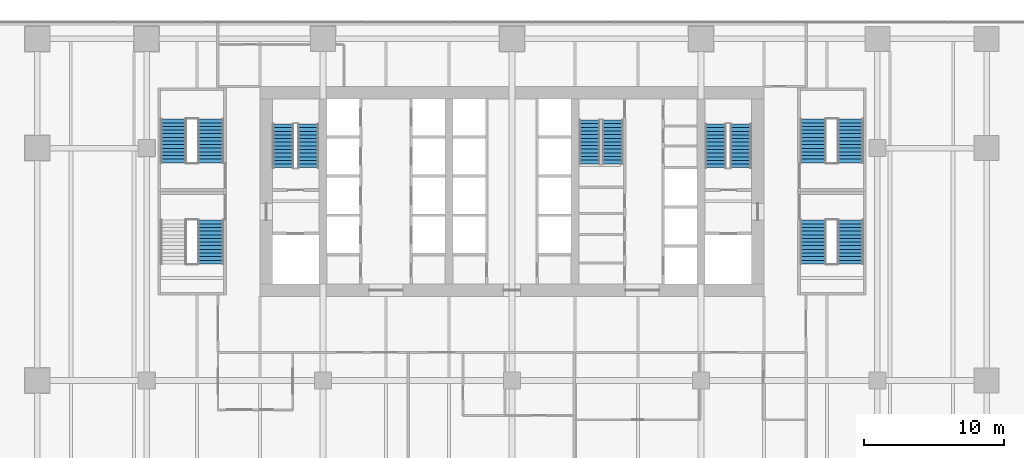
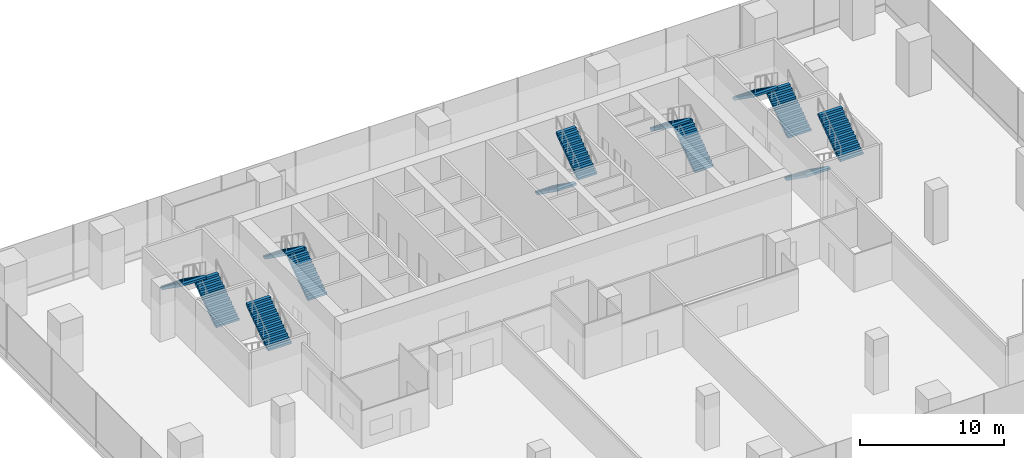
# One storey, part 22 of 28: 13 stair flights, 7 elements without a shape of their own.
"""IFC4 building model written with IfcOpenShell, lengths in metres."""

from ifc_helpers import new_model, si_unit, direction, frame, origin, place, context, subcontext, project, spatial, polyline, outline, extrude, material, type_object, element, aggregate, save


model = new_model("IFC4")

# Units and contexts
model_context = context("Model", 3, precision=1e-05, world=origin(), true_north=direction((0.0, 1.0)))
body_context = subcontext(model_context, "Body", "Model", "MODEL_VIEW")
ifc_project = project(units=[si_unit("LENGTHUNIT", "METRE"), si_unit("AREAUNIT", "SQUARE_METRE"), si_unit("VOLUMEUNIT", "CUBIC_METRE"), si_unit("PLANEANGLEUNIT", "RADIAN"), si_unit("MASSUNIT", "GRAM", prefix="KILO")], contexts=[model_context])

# Site, building, storey
site_placement = place(None, origin())
site = spatial("IfcSite", under=ifc_project, at=site_placement, CompositionType="ELEMENT")
building_placement = place(site_placement, origin())
building = spatial("IfcBuilding", under=site, at=building_placement, Name="Rattan Terrace Tower", CompositionType="ELEMENT")
storey_placement = place(building_placement, frame((0.0, 0.0, 22.199951171875)))
storey = spatial("IfcBuildingStorey", under=building, at=storey_placement, Name="L04", CompositionType="ELEMENT", Elevation=22.199951171875)

# Stair, stair flights
ifc_material_1 = material(Name="Concrete C40/50", Category="concrete")
stair_type_1 = type_object("IfcStairType", Name="Core exit stair 1500", PredefinedType="HALF_TURN_STAIR", material=ifc_material_1)
stair_1_placement = place(storey_placement, origin())
stair_1 = element("IfcStair", 1, at=stair_1_placement, inside=storey, type_object=stair_type_1, Name="L04 exit stair 1", PredefinedType="HALF_TURN_STAIR")
ifc_material_2 = material(Name="Concrete C40/50", Category="concrete")
stair_flight_type_1 = type_object("IfcStairFlightType", Name="Core exit stair flight 1500", PredefinedType="STRAIGHT", material=ifc_material_2)
stair_flight_1_placement = place(storey_placement, frame((-14.550048828125, 1.699951171875, 0.0), z_axis=(0.0, 0.0, 1.0), x_axis=(0.0, 1.0, 0.0)))
stair_flight_1 = element("IfcStairFlight", 2, at=stair_flight_1_placement, type_object=stair_flight_type_1, Name="S1 flight 1", NumberOfRisers=13, NumberOfTreads=12, PredefinedType="STRAIGHT", RiserHeight=0.184615385, TreadLength=0.26, context=body_context, shape_type="SweptSolid", body=[
    extrude(outline(polyline([(0.0, 0.0), (0.0, 0.1845703125), (0.260009765625, 0.1845703125), (0.260009765625, 0.369140625), (0.52001953125, 0.369140625), (0.52001953125, 0.553955078125), (0.780029296875, 0.553955078125), (0.780029296875, 0.738525390625), (1.0400390625, 0.738525390625), (1.0400390625, 0.923095703125), (1.300048828125, 0.923095703125), (1.300048828125, 1.107666015625), (1.56005859375, 1.107666015625), (1.56005859375, 1.292236328125), (1.820068359375, 1.292236328125), (1.820068359375, 1.476806640625), (2.080078125, 1.476806640625), (2.080078125, 1.66162109375), (2.340087890625, 1.66162109375), (2.340087890625, 1.84619140625), (2.60009765625, 1.84619140625), (2.60009765625, 2.03076171875), (2.860107421875, 2.03076171875), (2.860107421875, 2.21533203125), (3.1201171875, 2.21533203125), (3.1201171875, 2.39990234375), (3.1201171875, 2.031494140625), (0.259033203125, 0.0), (0.0, 0.0)])), frame((0.0, 0.75, 0.0), z_axis=(0.0, -1.0, 0.0), x_axis=(1.0, 0.0, 0.0)), (0.0, 0.0, 1.0), 1.5),
])
stair_flight_2_placement = place(storey_placement, frame((-16.35009765625, 4.820068359375, 2.400146484375), z_axis=(0.0, 0.0, 1.0), x_axis=(0.0, -1.0, 0.0)))
stair_flight_2 = element("IfcStairFlight", 3, at=stair_flight_2_placement, type_object=stair_flight_type_1, Name="S1 flight 2", NumberOfRisers=13, NumberOfTreads=12, PredefinedType="STRAIGHT", RiserHeight=0.184615385, TreadLength=0.26, context=body_context, shape_type="SweptSolid", body=[
    extrude(outline(polyline([(0.0, 0.0), (0.0, 0.1845703125), (0.260009765625, 0.1845703125), (0.260009765625, 0.369140625), (0.52001953125, 0.369140625), (0.52001953125, 0.553955078125), (0.780029296875, 0.553955078125), (0.780029296875, 0.738525390625), (1.0400390625, 0.738525390625), (1.0400390625, 0.923095703125), (1.300048828125, 0.923095703125), (1.300048828125, 1.107666015625), (1.56005859375, 1.107666015625), (1.56005859375, 1.292236328125), (1.820068359375, 1.292236328125), (1.820068359375, 1.476806640625), (2.080078125, 1.476806640625), (2.080078125, 1.66162109375), (2.340087890625, 1.66162109375), (2.340087890625, 1.84619140625), (2.60009765625, 1.84619140625), (2.60009765625, 2.03076171875), (2.860107421875, 2.03076171875), (2.860107421875, 2.21533203125), (3.1201171875, 2.21533203125), (3.1201171875, 2.39990234375), (3.1201171875, 2.031494140625), (0.259033203125, 0.0), (0.0, 0.0)])), frame((0.0, 0.75, 0.0), z_axis=(0.0, -1.0, 0.0), x_axis=(1.0, 0.0, 0.0)), (0.0, 0.0, 1.0), 1.5),
])
aggregate(stair_1, [stair_flight_1, stair_flight_2])

stair_2_placement = place(storey_placement, origin())
stair_2 = element("IfcStair", 4, at=stair_2_placement, inside=storey, type_object=stair_type_1, Name="L04 exit stair 2", PredefinedType="HALF_TURN_STAIR")
stair_flight_3_placement = place(storey_placement, frame((16.35009765625, 1.699951171875, 0.0), z_axis=(0.0, 0.0, 1.0), x_axis=(0.0, 1.0, 0.0)))
stair_flight_3 = element("IfcStairFlight", 5, at=stair_flight_3_placement, type_object=stair_flight_type_1, Name="S2 flight 1", NumberOfRisers=13, NumberOfTreads=12, PredefinedType="STRAIGHT", RiserHeight=0.184615385, TreadLength=0.26, context=body_context, shape_type="SweptSolid", body=[
    extrude(outline(polyline([(0.0, 0.0), (0.0, 0.1845703125), (0.260009765625, 0.1845703125), (0.260009765625, 0.369140625), (0.52001953125, 0.369140625), (0.52001953125, 0.553955078125), (0.780029296875, 0.553955078125), (0.780029296875, 0.738525390625), (1.0400390625, 0.738525390625), (1.0400390625, 0.923095703125), (1.300048828125, 0.923095703125), (1.300048828125, 1.107666015625), (1.56005859375, 1.107666015625), (1.56005859375, 1.292236328125), (1.820068359375, 1.292236328125), (1.820068359375, 1.476806640625), (2.080078125, 1.476806640625), (2.080078125, 1.66162109375), (2.340087890625, 1.66162109375), (2.340087890625, 1.84619140625), (2.60009765625, 1.84619140625), (2.60009765625, 2.03076171875), (2.860107421875, 2.03076171875), (2.860107421875, 2.21533203125), (3.1201171875, 2.21533203125), (3.1201171875, 2.39990234375), (3.1201171875, 2.031494140625), (0.259033203125, 0.0), (0.0, 0.0)])), frame((0.0, 0.75, 0.0), z_axis=(0.0, -1.0, 0.0), x_axis=(1.0, 0.0, 0.0)), (0.0, 0.0, 1.0), 1.5),
])
stair_flight_4_placement = place(storey_placement, frame((14.550048828125, 4.820068359375, 2.400146484375), z_axis=(0.0, 0.0, 1.0), x_axis=(0.0, -1.0, 0.0)))
stair_flight_4 = element("IfcStairFlight", 6, at=stair_flight_4_placement, type_object=stair_flight_type_1, Name="S2 flight 2", NumberOfRisers=13, NumberOfTreads=12, PredefinedType="STRAIGHT", RiserHeight=0.184615385, TreadLength=0.26, context=body_context, shape_type="SweptSolid", body=[
    extrude(outline(polyline([(0.0, 0.0), (0.0, 0.1845703125), (0.260009765625, 0.1845703125), (0.260009765625, 0.369140625), (0.52001953125, 0.369140625), (0.52001953125, 0.553955078125), (0.780029296875, 0.553955078125), (0.780029296875, 0.738525390625), (1.0400390625, 0.738525390625), (1.0400390625, 0.923095703125), (1.300048828125, 0.923095703125), (1.300048828125, 1.107666015625), (1.56005859375, 1.107666015625), (1.56005859375, 1.292236328125), (1.820068359375, 1.292236328125), (1.820068359375, 1.476806640625), (2.080078125, 1.476806640625), (2.080078125, 1.66162109375), (2.340087890625, 1.66162109375), (2.340087890625, 1.84619140625), (2.60009765625, 1.84619140625), (2.60009765625, 2.03076171875), (2.860107421875, 2.03076171875), (2.860107421875, 2.21533203125), (3.1201171875, 2.21533203125), (3.1201171875, 2.39990234375), (3.1201171875, 2.031494140625), (0.259033203125, 0.0), (0.0, 0.0)])), frame((0.0, 0.75, 0.0), z_axis=(0.0, -1.0, 0.0), x_axis=(1.0, 0.0, 0.0)), (0.0, 0.0, 1.0), 1.5),
])
aggregate(stair_2, [stair_flight_3, stair_flight_4])

stair_3_placement = place(storey_placement, origin())
stair_3 = element("IfcStair", 7, at=stair_3_placement, inside=storey, type_object=stair_type_1, Name="L04 exit stair 3", PredefinedType="HALF_TURN_STAIR")
stair_flight_5_placement = place(storey_placement, frame((5.550048828125, 5.10009765625, 0.0), z_axis=(0.0, 0.0, 1.0), x_axis=(0.0, -1.0, 0.0)))
stair_flight_5 = element("IfcStairFlight", 8, at=stair_flight_5_placement, type_object=stair_flight_type_1, Name="S3 flight 1", NumberOfRisers=13, NumberOfTreads=12, PredefinedType="STRAIGHT", RiserHeight=0.184615385, TreadLength=0.26, context=body_context, shape_type="SweptSolid", body=[
    extrude(outline(polyline([(0.0, 0.0), (0.0, 0.1845703125), (0.260009765625, 0.1845703125), (0.260009765625, 0.369140625), (0.52001953125, 0.369140625), (0.52001953125, 0.553955078125), (0.780029296875, 0.553955078125), (0.780029296875, 0.738525390625), (1.0400390625, 0.738525390625), (1.0400390625, 0.923095703125), (1.300048828125, 0.923095703125), (1.300048828125, 1.107666015625), (1.56005859375, 1.107666015625), (1.56005859375, 1.292236328125), (1.820068359375, 1.292236328125), (1.820068359375, 1.476806640625), (2.080078125, 1.476806640625), (2.080078125, 1.66162109375), (2.340087890625, 1.66162109375), (2.340087890625, 1.84619140625), (2.60009765625, 1.84619140625), (2.60009765625, 2.03076171875), (2.860107421875, 2.03076171875), (2.860107421875, 2.21533203125), (3.1201171875, 2.21533203125), (3.1201171875, 2.39990234375), (3.1201171875, 2.031494140625), (0.259033203125, 0.0), (0.0, 0.0)])), frame((0.0, 0.75, 0.0), z_axis=(0.0, -1.0, 0.0), x_axis=(1.0, 0.0, 0.0)), (0.0, 0.0, 1.0), 1.5),
])
stair_flight_6_placement = place(storey_placement, frame((7.199951171875, 1.97998046875, 2.400146484375), z_axis=(0.0, 0.0, 1.0), x_axis=(0.0, 1.0, 0.0)))
stair_flight_6 = element("IfcStairFlight", 9, at=stair_flight_6_placement, type_object=stair_flight_type_1, Name="S3 flight 2", NumberOfRisers=13, NumberOfTreads=12, PredefinedType="STRAIGHT", RiserHeight=0.184615385, TreadLength=0.26, context=body_context, shape_type="SweptSolid", body=[
    extrude(outline(polyline([(0.0, 0.0), (0.0, 0.1845703125), (0.260009765625, 0.1845703125), (0.260009765625, 0.369140625), (0.52001953125, 0.369140625), (0.52001953125, 0.553955078125), (0.780029296875, 0.553955078125), (0.780029296875, 0.738525390625), (1.0400390625, 0.738525390625), (1.0400390625, 0.923095703125), (1.300048828125, 0.923095703125), (1.300048828125, 1.107666015625), (1.56005859375, 1.107666015625), (1.56005859375, 1.292236328125), (1.820068359375, 1.292236328125), (1.820068359375, 1.476806640625), (2.080078125, 1.476806640625), (2.080078125, 1.66162109375), (2.340087890625, 1.66162109375), (2.340087890625, 1.84619140625), (2.60009765625, 1.84619140625), (2.60009765625, 2.03076171875), (2.860107421875, 2.03076171875), (2.860107421875, 2.21533203125), (3.1201171875, 2.21533203125), (3.1201171875, 2.39990234375), (3.1201171875, 2.031494140625), (0.259033203125, 0.0), (0.0, 0.0)])), frame((0.0, 0.75, 0.0), z_axis=(0.0, -1.0, 0.0), x_axis=(1.0, 0.0, 0.0)), (0.0, 0.0, 1.0), 1.5),
])
aggregate(stair_3, [stair_flight_5, stair_flight_6])

# Stair, stair flight
ifc_material_3 = material(Name="Concrete C40/50", Category="concrete")
stair_type_2 = type_object("IfcStairType", Name="Core exit stair 1850", PredefinedType="HALF_TURN_STAIR", material=ifc_material_3)
stair_4_placement = place(storey_placement, origin())
stair_4 = element("IfcStair", 10, at=stair_4_placement, inside=storey, type_object=stair_type_2, Name="L04 exit stair 4", PredefinedType="HALF_TURN_STAIR")
ifc_material_4 = material(Name="Concrete C40/50", Category="concrete")
stair_flight_type_2 = type_object("IfcStairFlightType", Name="Core exit stair flight 1850", PredefinedType="STRAIGHT", material=ifc_material_4)
stair_flight_7_placement = place(storey_placement, frame((-21.52490234375, -5.169921875, 2.400146484375), z_axis=(0.0, 0.0, 1.0), x_axis=(0.0, 1.0, 0.0)))
stair_flight_7 = element("IfcStairFlight", 11, at=stair_flight_7_placement, type_object=stair_flight_type_2, Name="S4 flight 2", NumberOfRisers=13, NumberOfTreads=12, PredefinedType="STRAIGHT", RiserHeight=0.184615385, TreadLength=0.26, context=body_context, shape_type="SweptSolid", body=[
    extrude(outline(polyline([(0.0, 0.0), (0.0, 0.1845703125), (0.260009765625, 0.1845703125), (0.260009765625, 0.369140625), (0.52001953125, 0.369140625), (0.52001953125, 0.553955078125), (0.780029296875, 0.553955078125), (0.780029296875, 0.738525390625), (1.0400390625, 0.738525390625), (1.0400390625, 0.923095703125), (1.300048828125, 0.923095703125), (1.300048828125, 1.107666015625), (1.56005859375, 1.107666015625), (1.56005859375, 1.292236328125), (1.820068359375, 1.292236328125), (1.820068359375, 1.476806640625), (2.080078125, 1.476806640625), (2.080078125, 1.66162109375), (2.340087890625, 1.66162109375), (2.340087890625, 1.84619140625), (2.60009765625, 1.84619140625), (2.60009765625, 2.03076171875), (2.860107421875, 2.03076171875), (2.860107421875, 2.21533203125), (3.1201171875, 2.21533203125), (3.1201171875, 2.39990234375), (3.1201171875, 2.031494140625), (0.259033203125, 0.0), (0.0, 0.0)])), frame((0.0, 0.925048828125, 0.0), z_axis=(0.0, -1.0, 0.0), x_axis=(1.0, 0.0, 0.0)), (0.0, 0.0, 1.0), 1.85009765625),
])
aggregate(stair_4, [stair_flight_7])

# Stair, stair flights
stair_5_placement = place(storey_placement, origin())
stair_5 = element("IfcStair", 12, at=stair_5_placement, inside=storey, type_object=stair_type_2, Name="L04 exit stair 5", PredefinedType="HALF_TURN_STAIR")
stair_flight_8_placement = place(storey_placement, frame((-21.52490234375, 2.050048828125, 0.0), z_axis=(0.0, 0.0, 1.0), x_axis=(0.0, 1.0, 0.0)))
stair_flight_8 = element("IfcStairFlight", 13, at=stair_flight_8_placement, type_object=stair_flight_type_2, Name="S5 flight 1", NumberOfRisers=13, NumberOfTreads=12, PredefinedType="STRAIGHT", RiserHeight=0.184615385, TreadLength=0.26, context=body_context, shape_type="SweptSolid", body=[
    extrude(outline(polyline([(0.0, 0.0), (0.0, 0.1845703125), (0.260009765625, 0.1845703125), (0.260009765625, 0.369140625), (0.52001953125, 0.369140625), (0.52001953125, 0.553955078125), (0.780029296875, 0.553955078125), (0.780029296875, 0.738525390625), (1.0400390625, 0.738525390625), (1.0400390625, 0.923095703125), (1.300048828125, 0.923095703125), (1.300048828125, 1.107666015625), (1.56005859375, 1.107666015625), (1.56005859375, 1.292236328125), (1.820068359375, 1.292236328125), (1.820068359375, 1.476806640625), (2.080078125, 1.476806640625), (2.080078125, 1.66162109375), (2.340087890625, 1.66162109375), (2.340087890625, 1.84619140625), (2.60009765625, 1.84619140625), (2.60009765625, 2.03076171875), (2.860107421875, 2.03076171875), (2.860107421875, 2.21533203125), (3.1201171875, 2.21533203125), (3.1201171875, 2.39990234375), (3.1201171875, 2.031494140625), (0.259033203125, 0.0), (0.0, 0.0)])), frame((0.0, 0.925048828125, 0.0), z_axis=(0.0, -1.0, 0.0), x_axis=(1.0, 0.0, 0.0)), (0.0, 0.0, 1.0), 1.85009765625),
])
stair_flight_9_placement = place(storey_placement, frame((-24.175048828125, 5.169921875, 2.400146484375), z_axis=(0.0, 0.0, 1.0), x_axis=(0.0, -1.0, 0.0)))
stair_flight_9 = element("IfcStairFlight", 14, at=stair_flight_9_placement, type_object=stair_flight_type_2, Name="S5 flight 2", NumberOfRisers=13, NumberOfTreads=12, PredefinedType="STRAIGHT", RiserHeight=0.184615385, TreadLength=0.26, context=body_context, shape_type="SweptSolid", body=[
    extrude(outline(polyline([(0.0, 0.0), (0.0, 0.1845703125), (0.260009765625, 0.1845703125), (0.260009765625, 0.369140625), (0.52001953125, 0.369140625), (0.52001953125, 0.553955078125), (0.780029296875, 0.553955078125), (0.780029296875, 0.738525390625), (1.0400390625, 0.738525390625), (1.0400390625, 0.923095703125), (1.300048828125, 0.923095703125), (1.300048828125, 1.107666015625), (1.56005859375, 1.107666015625), (1.56005859375, 1.292236328125), (1.820068359375, 1.292236328125), (1.820068359375, 1.476806640625), (2.080078125, 1.476806640625), (2.080078125, 1.66162109375), (2.340087890625, 1.66162109375), (2.340087890625, 1.84619140625), (2.60009765625, 1.84619140625), (2.60009765625, 2.03076171875), (2.860107421875, 2.03076171875), (2.860107421875, 2.21533203125), (3.1201171875, 2.21533203125), (3.1201171875, 2.39990234375), (3.1201171875, 2.031494140625), (0.259033203125, 0.0), (0.0, 0.0)])), frame((0.0, 0.925048828125, 0.0), z_axis=(0.0, -1.0, 0.0), x_axis=(1.0, 0.0, 0.0)), (0.0, 0.0, 1.0), 1.85009765625),
])
aggregate(stair_5, [stair_flight_8, stair_flight_9])

stair_6_placement = place(storey_placement, origin())
stair_6 = element("IfcStair", 15, at=stair_6_placement, inside=storey, type_object=stair_type_2, Name="L04 exit stair 6", PredefinedType="HALF_TURN_STAIR")
stair_flight_10_placement = place(storey_placement, frame((21.52490234375, -2.050048828125, 0.0), z_axis=(0.0, 0.0, 1.0), x_axis=(0.0, -1.0, 0.0)))
stair_flight_10 = element("IfcStairFlight", 16, at=stair_flight_10_placement, type_object=stair_flight_type_2, Name="S6 flight 1", NumberOfRisers=13, NumberOfTreads=12, PredefinedType="STRAIGHT", RiserHeight=0.184615385, TreadLength=0.26, context=body_context, shape_type="SweptSolid", body=[
    extrude(outline(polyline([(0.0, 0.0), (0.0, 0.1845703125), (0.260009765625, 0.1845703125), (0.260009765625, 0.369140625), (0.52001953125, 0.369140625), (0.52001953125, 0.553955078125), (0.780029296875, 0.553955078125), (0.780029296875, 0.738525390625), (1.0400390625, 0.738525390625), (1.0400390625, 0.923095703125), (1.300048828125, 0.923095703125), (1.300048828125, 1.107666015625), (1.56005859375, 1.107666015625), (1.56005859375, 1.292236328125), (1.820068359375, 1.292236328125), (1.820068359375, 1.476806640625), (2.080078125, 1.476806640625), (2.080078125, 1.66162109375), (2.340087890625, 1.66162109375), (2.340087890625, 1.84619140625), (2.60009765625, 1.84619140625), (2.60009765625, 2.03076171875), (2.860107421875, 2.03076171875), (2.860107421875, 2.21533203125), (3.1201171875, 2.21533203125), (3.1201171875, 2.39990234375), (3.1201171875, 2.031494140625), (0.259033203125, 0.0), (0.0, 0.0)])), frame((0.0, 0.925048828125, 0.0), z_axis=(0.0, -1.0, 0.0), x_axis=(1.0, 0.0, 0.0)), (0.0, 0.0, 1.0), 1.85009765625),
])
stair_flight_11_placement = place(storey_placement, frame((24.175048828125, -5.169921875, 2.400146484375), z_axis=(0.0, 0.0, 1.0), x_axis=(0.0, 1.0, 0.0)))
stair_flight_11 = element("IfcStairFlight", 17, at=stair_flight_11_placement, type_object=stair_flight_type_2, Name="S6 flight 2", NumberOfRisers=13, NumberOfTreads=12, PredefinedType="STRAIGHT", RiserHeight=0.184615385, TreadLength=0.26, context=body_context, shape_type="SweptSolid", body=[
    extrude(outline(polyline([(0.0, 0.0), (0.0, 0.1845703125), (0.260009765625, 0.1845703125), (0.260009765625, 0.369140625), (0.52001953125, 0.369140625), (0.52001953125, 0.553955078125), (0.780029296875, 0.553955078125), (0.780029296875, 0.738525390625), (1.0400390625, 0.738525390625), (1.0400390625, 0.923095703125), (1.300048828125, 0.923095703125), (1.300048828125, 1.107666015625), (1.56005859375, 1.107666015625), (1.56005859375, 1.292236328125), (1.820068359375, 1.292236328125), (1.820068359375, 1.476806640625), (2.080078125, 1.476806640625), (2.080078125, 1.66162109375), (2.340087890625, 1.66162109375), (2.340087890625, 1.84619140625), (2.60009765625, 1.84619140625), (2.60009765625, 2.03076171875), (2.860107421875, 2.03076171875), (2.860107421875, 2.21533203125), (3.1201171875, 2.21533203125), (3.1201171875, 2.39990234375), (3.1201171875, 2.031494140625), (0.259033203125, 0.0), (0.0, 0.0)])), frame((0.0, 0.925048828125, 0.0), z_axis=(0.0, -1.0, 0.0), x_axis=(1.0, 0.0, 0.0)), (0.0, 0.0, 1.0), 1.85009765625),
])
aggregate(stair_6, [stair_flight_10, stair_flight_11])

stair_7_placement = place(storey_placement, origin())
stair_7 = element("IfcStair", 18, at=stair_7_placement, inside=storey, type_object=stair_type_2, Name="L04 exit stair 7", PredefinedType="HALF_TURN_STAIR")
stair_flight_12_placement = place(storey_placement, frame((24.175048828125, 2.050048828125, 0.0), z_axis=(0.0, 0.0, 1.0), x_axis=(0.0, 1.0, 0.0)))
stair_flight_12 = element("IfcStairFlight", 19, at=stair_flight_12_placement, type_object=stair_flight_type_2, Name="S7 flight 1", NumberOfRisers=13, NumberOfTreads=12, PredefinedType="STRAIGHT", RiserHeight=0.184615385, TreadLength=0.26, context=body_context, shape_type="SweptSolid", body=[
    extrude(outline(polyline([(0.0, 0.0), (0.0, 0.1845703125), (0.260009765625, 0.1845703125), (0.260009765625, 0.369140625), (0.52001953125, 0.369140625), (0.52001953125, 0.553955078125), (0.780029296875, 0.553955078125), (0.780029296875, 0.738525390625), (1.0400390625, 0.738525390625), (1.0400390625, 0.923095703125), (1.300048828125, 0.923095703125), (1.300048828125, 1.107666015625), (1.56005859375, 1.107666015625), (1.56005859375, 1.292236328125), (1.820068359375, 1.292236328125), (1.820068359375, 1.476806640625), (2.080078125, 1.476806640625), (2.080078125, 1.66162109375), (2.340087890625, 1.66162109375), (2.340087890625, 1.84619140625), (2.60009765625, 1.84619140625), (2.60009765625, 2.03076171875), (2.860107421875, 2.03076171875), (2.860107421875, 2.21533203125), (3.1201171875, 2.21533203125), (3.1201171875, 2.39990234375), (3.1201171875, 2.031494140625), (0.259033203125, 0.0), (0.0, 0.0)])), frame((0.0, 0.925048828125, 0.0), z_axis=(0.0, -1.0, 0.0), x_axis=(1.0, 0.0, 0.0)), (0.0, 0.0, 1.0), 1.85009765625),
])
stair_flight_13_placement = place(storey_placement, frame((21.52490234375, 5.169921875, 2.400146484375), z_axis=(0.0, 0.0, 1.0), x_axis=(0.0, -1.0, 0.0)))
stair_flight_13 = element("IfcStairFlight", 20, at=stair_flight_13_placement, type_object=stair_flight_type_2, Name="S7 flight 2", NumberOfRisers=13, NumberOfTreads=12, PredefinedType="STRAIGHT", RiserHeight=0.184615385, TreadLength=0.26, context=body_context, shape_type="SweptSolid", body=[
    extrude(outline(polyline([(0.0, 0.0), (0.0, 0.1845703125), (0.260009765625, 0.1845703125), (0.260009765625, 0.369140625), (0.52001953125, 0.369140625), (0.52001953125, 0.553955078125), (0.780029296875, 0.553955078125), (0.780029296875, 0.738525390625), (1.0400390625, 0.738525390625), (1.0400390625, 0.923095703125), (1.300048828125, 0.923095703125), (1.300048828125, 1.107666015625), (1.56005859375, 1.107666015625), (1.56005859375, 1.292236328125), (1.820068359375, 1.292236328125), (1.820068359375, 1.476806640625), (2.080078125, 1.476806640625), (2.080078125, 1.66162109375), (2.340087890625, 1.66162109375), (2.340087890625, 1.84619140625), (2.60009765625, 1.84619140625), (2.60009765625, 2.03076171875), (2.860107421875, 2.03076171875), (2.860107421875, 2.21533203125), (3.1201171875, 2.21533203125), (3.1201171875, 2.39990234375), (3.1201171875, 2.031494140625), (0.259033203125, 0.0), (0.0, 0.0)])), frame((0.0, 0.925048828125, 0.0), z_axis=(0.0, -1.0, 0.0), x_axis=(1.0, 0.0, 0.0)), (0.0, 0.0, 1.0), 1.85009765625),
])
aggregate(stair_7, [stair_flight_12, stair_flight_13])

save(model, "model.ifc")
